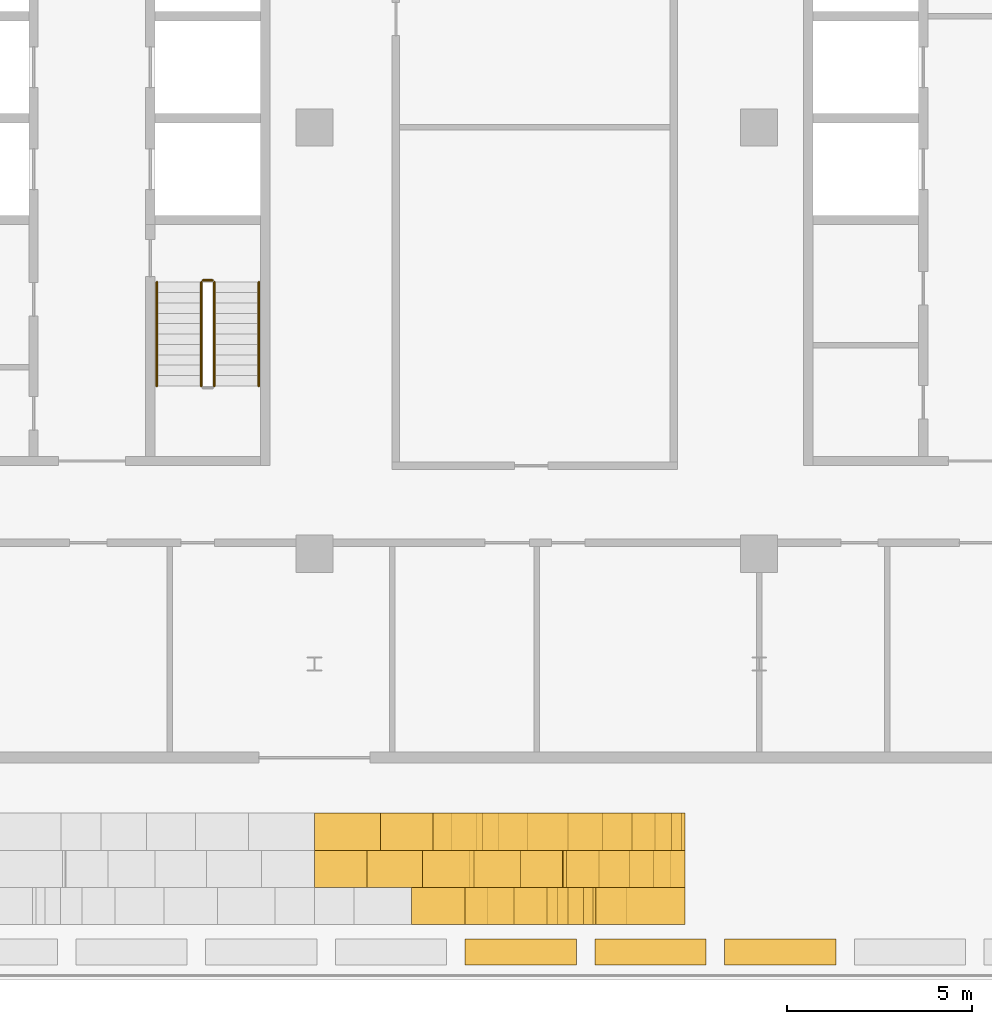
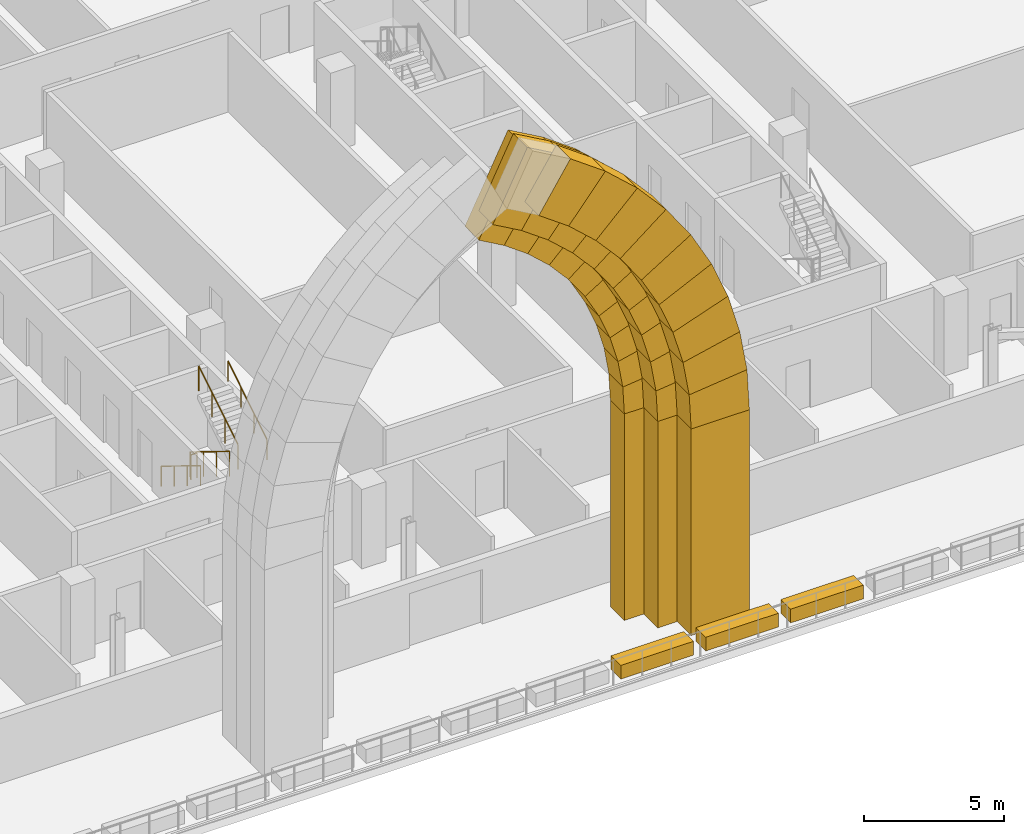
# One storey, part 25 of 30: 35 coverings, 5 railings.
"""IFC4 building model written with IfcOpenShell, lengths in metres."""

from ifc_helpers import new_model, si_unit, direction, frame, origin, origin_2d, place, context, subcontext, project, spatial, polyline, rectangle, circle, outline, extrude, material, layer, layer_set, type_object, element, save


model = new_model("IFC4")

# Units and contexts
model_context = context("Model", 3, precision=1e-05, world=origin(), true_north=direction((0.0, 1.0)))
body_context = subcontext(model_context, "Body", "Model", "MODEL_VIEW")
ifc_project = project(units=[si_unit("LENGTHUNIT", "METRE"), si_unit("AREAUNIT", "SQUARE_METRE"), si_unit("VOLUMEUNIT", "CUBIC_METRE"), si_unit("PLANEANGLEUNIT", "RADIAN"), si_unit("MASSUNIT", "GRAM", prefix="KILO")], contexts=[model_context])

# Site, building, storey
site_placement = place(None, origin())
site = spatial("IfcSite", under=ifc_project, at=site_placement, CompositionType="ELEMENT")
building_placement = place(site_placement, origin())
building = spatial("IfcBuilding", under=site, at=building_placement, Name="Mahtab Terrace Research Tower", CompositionType="ELEMENT")
storey_placement = place(building_placement, frame((0.0, 0.0, 228.60009765625)))
storey = spatial("IfcBuildingStorey", under=building, at=storey_placement, Name="L55", CompositionType="ELEMENT", Elevation=228.60009765625)

# Coverings
ifc_material_1 = material(Name="Glazed ceramic tile cladding", Category="masonry")
ifc_layer_1 = layer(ifc_material_1, 1.0)
ifc_layer_set_1 = layer_set([ifc_layer_1], Name="Iwan portal cladding arch course 800")
covering_type_1 = type_object("IfcCoveringType", Name="Iwan portal cladding arch course 800", PredefinedType="CLADDING", material=ifc_layer_set_1)
covering_1_placement = place(storey_placement, frame((12.0, -18.5, 9.02978515625), z_axis=(0.0, 1.0, 0.0), x_axis=(-0.054985017031, 0.0, 0.998487179638)))
element("IfcCovering", 1, at=covering_1_placement, inside=storey, type_object=covering_type_1, Name="Iwan portal arch course 6.1.1E1", PredefinedType="CLADDING", context=body_context, shape_type="SweptSolid", body=[
    extrude(outline(polyline([(0.0, 0.0), (1.1988351065344451, 0.0), (1.4227225989084686, 3.9932049750006704), (-0.21994006812347563, 3.993948718553337), (0.0, 0.0)])), origin(), (0.0, 0.0, -1.0), 1.0),
])
covering_2_placement = place(storey_placement, frame((11.93408203125, -18.5, 10.226806640625), z_axis=(0.0, 1.0, 0.0), x_axis=(-0.166117479357, 0.0, 0.986105969484)))
element("IfcCovering", 2, at=covering_2_placement, inside=storey, type_object=covering_type_1, Name="Iwan portal arch course 6.1.1E2", PredefinedType="CLADDING", context=body_context, shape_type="SweptSolid", body=[
    extrude(outline(polyline([(0.0, 0.0), (1.1977945376073695, 0.0), (1.4182488302865104, 3.9939691088413554), (-0.22333406904269565, 3.993235965381518), (0.0, 0.0)])), origin(), (0.0, 0.0, -1.0), 1.0),
])
covering_3_placement = place(storey_placement, frame((11.735107421875, -18.5, 11.407958984375), z_axis=(0.0, 1.0, 0.0), x_axis=(-0.274505954826, 0.0, 0.961585399621)))
element("IfcCovering", 3, at=covering_3_placement, inside=storey, type_object=covering_type_1, Name="Iwan portal arch course 6.1.1E3", PredefinedType="CLADDING", context=body_context, shape_type="SweptSolid", body=[
    extrude(outline(polyline([(0.0, 0.0), (1.1988867881146839, 0.0), (1.4188332843981208, 3.99484277097039), (-0.224061046923676, 3.9937683939847015), (0.0, 0.0)])), origin(), (0.0, 0.0, -1.0), 1.0),
])
covering_4_placement = place(storey_placement, frame((11.406005859375, -18.5, 12.560791015625), z_axis=(0.0, 1.0, 0.0), x_axis=(-0.378894584759, 0.0, 0.925439837937)))
element("IfcCovering", 4, at=covering_4_placement, inside=storey, type_object=covering_type_1, Name="Iwan portal arch course 6.1.1E4", PredefinedType="CLADDING", context=body_context, shape_type="SweptSolid", body=[
    extrude(outline(polyline([(0.0, 0.0), (1.198490505712443, 0.0), (1.4207259835922814, 3.994062298232907), (-0.22202973205685494, 3.994727528140624), (0.0, 0.0)])), origin(), (0.0, 0.0, -1.0), 1.0),
])
covering_5_placement = place(storey_placement, frame((10.951904296875, -18.5, 13.669921875), z_axis=(0.0, 1.0, 0.0), x_axis=(-0.478952042529, 0.0, 0.877841068165)))
element("IfcCovering", 5, at=covering_5_placement, inside=storey, type_object=covering_type_1, Name="Iwan portal arch course 6.1.1E5", PredefinedType="CLADDING", context=body_context, shape_type="SweptSolid", body=[
    extrude(outline(polyline([(0.0, 0.0), (1.1983968297629959, 0.0), (1.4202998293334266, 3.994376096565172), (-0.22100012408733938, 3.9941308434936618), (0.0, 0.0)])), origin(), (0.0, 0.0, -1.0), 1.0),
])
covering_6_placement = place(storey_placement, frame((10.3779296875, -18.5, 14.721923828125), z_axis=(0.0, 1.0, 0.0), x_axis=(-0.573270912999, 0.0, 0.819365889154)))
element("IfcCovering", 6, at=covering_6_placement, inside=storey, type_object=covering_type_1, Name="Iwan portal arch course 6.1.1E6", PredefinedType="CLADDING", context=body_context, shape_type="SweptSolid", body=[
    extrude(outline(polyline([(0.0, 0.0), (1.1984067273820767, 1.1102230246251565e-16), (1.420868574657454, 3.9940037544427716), (-0.22205539999335344, 3.9943676272175255), (0.0, 0.0)])), origin(), (0.0, 0.0, -1.0), 1.0),
])
covering_7_placement = place(storey_placement, frame((9.69091796875, -18.5, 15.703857421875), z_axis=(0.0, 1.0, 0.0), x_axis=(-0.660563628093, 0.0, 0.750770066825)))
element("IfcCovering", 7, at=covering_7_placement, inside=storey, type_object=covering_type_1, Name="Iwan portal arch course 6.1.1E7", PredefinedType="CLADDING", context=body_context, shape_type="SweptSolid", body=[
    extrude(outline(polyline([(0.0, 0.0), (1.1989642690229376, 0.0), (1.4208619727254268, 3.9940701767119156), (-0.22163909435929807, 3.9940494959186115), (0.0, 0.0)])), origin(), (0.0, 0.0, -1.0), 1.0),
])
covering_8_placement = place(storey_placement, frame((8.89892578125, -18.5, 16.60400390625), z_axis=(0.0, 1.0, 0.0), x_axis=(-0.739746345725, 0.0, 0.672885832802)))
element("IfcCovering", 8, at=covering_8_placement, inside=storey, type_object=covering_type_1, Name="Iwan portal arch course 6.1.1E8", PredefinedType="CLADDING", context=body_context, shape_type="SweptSolid", body=[
    extrude(outline(polyline([(0.0, 0.0), (1.197689361015028, 1.1102230246251565e-16), (1.4199871494725709, 3.9938323329420555), (-0.22239538029747208, 3.994042496297496), (0.0, 0.0)])), origin(), (0.0, 0.0, -1.0), 1.0),
])
covering_9_placement = place(storey_placement, frame((8.012939453125, -18.5, 17.409912109375), z_axis=(0.0, 1.0, 0.0), x_axis=(-0.810028858696, 0.0, 0.586390013625)))
element("IfcCovering", 9, at=covering_9_placement, inside=storey, type_object=covering_type_1, Name="Iwan portal arch course 6.1.1E9", PredefinedType="CLADDING", context=body_context, shape_type="SweptSolid", body=[
    extrude(outline(polyline([(0.0, 0.0), (1.1986576221341951, 0.0), (1.418901214494905, 3.9947238379354104), (-0.2235047833347794, 3.9937649683266248), (0.0, 0.0)])), origin(), (0.0, 0.0, -1.0), 1.0),
])
covering_10_placement = place(storey_placement, frame((7.0419921875, -18.5, 18.11279296875), z_axis=(0.0, 1.0, 0.0), x_axis=(-0.869456557393, 0.0, 0.49400940761)))
element("IfcCovering", 10, at=covering_10_placement, inside=storey, type_object=covering_type_1, Name="Iwan portal arch course 6.1.1E10", PredefinedType="CLADDING", context=body_context, shape_type="SweptSolid", body=[
    extrude(outline(polyline([(0.0, 0.0), (1.198440771583359, 0.0), (1.4225203513162432, 3.993655994120228), (-0.21922149893734888, 3.994780058494965), (0.0, 0.0)])), origin(), (0.0, 0.0, -1.0), 1.0),
])
covering_11_placement = place(storey_placement, frame((12.800048828125, -19.5, 9.02978515625), z_axis=(0.0, 1.0, 0.0), x_axis=(-0.055181321241, 0.0, 0.998476350139)))
element("IfcCovering", 11, at=covering_11_placement, inside=storey, type_object=covering_type_1, Name="Iwan portal arch course 6.1.2E1", PredefinedType="CLADDING", context=body_context, shape_type="SweptSolid", body=[
    extrude(outline(polyline([(0.0, 0.0), (1.358270700840064, 0.0), (1.5372374742629968, 3.194674829501832), (-0.17657753357005665, 3.19507556671552), (0.0, 0.0)])), origin(), (0.0, 0.0, -1.0), 1.0),
])
covering_12_placement = place(storey_placement, frame((12.72509765625, -19.5, 10.385986328125), z_axis=(0.0, 1.0, 0.0), x_axis=(-0.166379947434, 0.0, 0.986061718703)))
element("IfcCovering", 12, at=covering_12_placement, inside=storey, type_object=covering_type_1, Name="Iwan portal arch course 6.1.2E2", PredefinedType="CLADDING", context=body_context, shape_type="SweptSolid", body=[
    extrude(outline(polyline([(0.0, 0.0), (1.3587828475505148, 0.0), (1.5336205499310798, 3.195702399212898), (-0.17904420808999094, 3.194670490643973), (0.0, 0.0)])), origin(), (0.0, 0.0, -1.0), 1.0),
])
covering_13_placement = place(storey_placement, frame((12.4990234375, -19.5, 11.725830078125), z_axis=(0.0, 1.0, 0.0), x_axis=(-0.273961282228, 0.0, 0.961740721733)))
element("IfcCovering", 13, at=covering_13_placement, inside=storey, type_object=covering_type_1, Name="Iwan portal arch course 6.1.2E3", PredefinedType="CLADDING", context=body_context, shape_type="SweptSolid", body=[
    extrude(outline(polyline([(0.0, 0.0), (1.358112757663172, 0.0), (1.535557291409583, 3.1947682403449686), (-0.17816324112717452, 3.195518722526884), (0.0, 0.0)])), origin(), (0.0, 0.0, -1.0), 1.0),
])
covering_14_placement = place(storey_placement, frame((12.126953125, -19.5, 13.031982421875), z_axis=(0.0, 1.0, 0.0), x_axis=(-0.378478817189, 0.0, 0.925609952917)))
element("IfcCovering", 14, at=covering_14_placement, inside=storey, type_object=covering_type_1, Name="Iwan portal arch course 6.1.2E4", PredefinedType="CLADDING", context=body_context, shape_type="SweptSolid", body=[
    extrude(outline(polyline([(0.0, 0.0), (1.3578461786621412, -5.551115123125783e-17), (1.537166347370172, 3.1944177908390676), (-0.17639784946525616, 3.1948262035324237), (0.0, 0.0)])), origin(), (0.0, 0.0, -1.0), 1.0),
])
covering_15_placement = place(storey_placement, frame((11.613037109375, -19.5, 14.288818359375), z_axis=(0.0, 1.0, 0.0), x_axis=(-0.479343168453, 0.0, 0.87762755589)))
element("IfcCovering", 15, at=covering_15_placement, inside=storey, type_object=covering_type_1, Name="Iwan portal arch course 6.1.2E5", PredefinedType="CLADDING", context=body_context, shape_type="SweptSolid", body=[
    extrude(outline(polyline([(0.0, 0.0), (1.3583651332214297, 0.0), (1.5356018383319388, 3.194921724598974), (-0.17804426697706321, 3.1944891585872113), (0.0, 0.0)])), origin(), (0.0, 0.0, -1.0), 1.0),
])
covering_16_placement = place(storey_placement, frame((10.9619140625, -19.5, 15.48095703125), z_axis=(0.0, 1.0, 0.0), x_axis=(-0.573305531521, 0.0, 0.819341667149)))
element("IfcCovering", 16, at=covering_16_placement, inside=storey, type_object=covering_type_1, Name="Iwan portal arch course 6.1.2E6", PredefinedType="CLADDING", context=body_context, shape_type="SweptSolid", body=[
    extrude(outline(polyline([(0.0, 0.0), (1.3584529555876084, 0.0), (1.5357713092446799, 3.194670597827673), (-0.17657538685367147, 3.194958342249612), (0.0, 0.0)])), origin(), (0.0, 0.0, -1.0), 1.0),
])
covering_17_placement = place(storey_placement, frame((10.18310546875, -19.5, 16.593994140625), z_axis=(0.0, 1.0, 0.0), x_axis=(-0.660907580251, 0.0, 0.75046730133)))
element("IfcCovering", 17, at=covering_17_placement, inside=storey, type_object=covering_type_1, Name="Iwan portal arch course 6.1.2E7", PredefinedType="CLADDING", context=body_context, shape_type="SweptSolid", body=[
    extrude(outline(polyline([(0.0, 0.0), (1.357552589325183, 1.1102230246251565e-16), (1.534905563139945, 3.1956352793756135), (-0.1792282411178634, 3.1945640179458095), (0.0, 0.0)])), origin(), (0.0, 0.0, -1.0), 1.0),
])
covering_18_placement = place(storey_placement, frame((9.285888671875, -19.5, 17.61279296875), z_axis=(0.0, 1.0, 0.0), x_axis=(-0.739744866632, 0.0, 0.672887458861)))
element("IfcCovering", 18, at=covering_18_placement, inside=storey, type_object=covering_type_1, Name="Iwan portal arch course 6.1.2E8", PredefinedType="CLADDING", context=body_context, shape_type="SweptSolid", body=[
    extrude(outline(polyline([(0.0, 0.0), (1.3584180949781846, -1.1102230246251565e-16), (1.5357248081189012, 3.195489336740591), (-0.17665117608902614, 3.195674150800947), (0.0, 0.0)])), origin(), (0.0, 0.0, -1.0), 1.0),
])
covering_19_placement = place(storey_placement, frame((8.281005859375, -19.5, 18.52685546875), z_axis=(0.0, 1.0, 0.0), x_axis=(-0.809768404787, 0.0, 0.586749631964)))
element("IfcCovering", 19, at=covering_19_placement, inside=storey, type_object=covering_type_1, Name="Iwan portal arch course 6.1.2E9", PredefinedType="CLADDING", context=body_context, shape_type="SweptSolid", body=[
    extrude(outline(polyline([(0.0, 0.0), (1.3585336866038626, 1.1102230246251565e-16), (1.536129800785865, 3.1955927908765984), (-0.17796733419989197, 3.1954526126521383), (0.0, 0.0)])), origin(), (0.0, 0.0, -1.0), 1.0),
])
covering_20_placement = place(storey_placement, frame((7.180908203125, -19.5, 19.323974609375), z_axis=(0.0, 1.0, 0.0), x_axis=(-0.86947936813, 0.0, 0.493969258553)))
element("IfcCovering", 20, at=covering_20_placement, inside=storey, type_object=covering_type_1, Name="Iwan portal arch course 6.1.2E10", PredefinedType="CLADDING", context=body_context, shape_type="SweptSolid", body=[
    extrude(outline(polyline([(0.0, 0.0), (1.3581785220094809, 0.0), (1.5373747639034314, 3.19438213709835), (-0.17553055532321005, 3.19570691538241), (0.0, 0.0)])), origin(), (0.0, 0.0, -1.0), 1.0),
])
covering_21_placement = place(storey_placement, frame((13.60009765625, -20.5, 9.02978515625), z_axis=(0.0, 1.0, 0.0), x_axis=(-0.055309729531, 0.0, 0.998469245305)))
element("IfcCovering", 21, at=covering_21_placement, inside=storey, type_object=covering_type_1, Name="Iwan portal arch course 6.1.3E1", PredefinedType="CLADDING", context=body_context, shape_type="SweptSolid", body=[
    extrude(outline(polyline([(0.0, 0.0), (1.5184376367921015, 0.0), (1.6522428221747991, 2.3958337874326725), (-0.13273794953257928, 2.3962286819689456), (0.0, 0.0)])), origin(), (0.0, 0.0, -1.0), 1.0),
])
covering_22_placement = place(storey_placement, frame((13.51611328125, -20.5, 10.5458984375), z_axis=(0.0, 1.0, 0.0), x_axis=(-0.166119871209, 0.0, 0.986105566554)))
element("IfcCovering", 22, at=covering_22_placement, inside=storey, type_object=covering_type_1, Name="Iwan portal arch course 6.1.3E2", PredefinedType="CLADDING", context=body_context, shape_type="SweptSolid", body=[
    extrude(outline(polyline([(0.0, 0.0), (1.5181643459644198, 0.0), (1.6497651247417782, 2.3962200779402862), (-0.13374117051284962, 2.3958373617483173), (0.0, 0.0)])), origin(), (0.0, 0.0, -1.0), 1.0),
])
covering_23_placement = place(storey_placement, frame((13.263916015625, -20.5, 12.04296875), z_axis=(0.0, 1.0, 0.0), x_axis=(-0.274041357069, 0.0, 0.961717908025)))
element("IfcCovering", 23, at=covering_23_placement, inside=storey, type_object=covering_type_1, Name="Iwan portal arch course 6.1.3E3", PredefinedType="CLADDING", context=body_context, shape_type="SweptSolid", body=[
    extrude(outline(polyline([(0.0, 0.0), (1.5180760650474732, -5.551115123125783e-17), (1.6504569233223965, 2.3960708406005846), (-0.13392296283878435, 2.396091414559019), (0.0, 0.0)])), origin(), (0.0, 0.0, -1.0), 1.0),
])
covering_24_placement = place(storey_placement, frame((12.847900390625, -20.5, 13.5029296875), z_axis=(0.0, 1.0, 0.0), x_axis=(-0.378726772963, 0.0, 0.925508525861)))
element("IfcCovering", 24, at=covering_24_placement, inside=storey, type_object=covering_type_1, Name="Iwan portal arch course 6.1.3E4", PredefinedType="CLADDING", context=body_context, shape_type="SweptSolid", body=[
    extrude(outline(polyline([(0.0, 0.0), (1.5181159952775325, 0.0), (1.651622750133583, 2.3960392670320374), (-0.13343843854673565, 2.396012176081792), (0.0, 0.0)])), origin(), (0.0, 0.0, -1.0), 1.0),
])
covering_25_placement = place(storey_placement, frame((12.27294921875, -20.5, 14.907958984375), z_axis=(0.0, 1.0, 0.0), x_axis=(-0.47910009193, 0.0, 0.87776027588)))
element("IfcCovering", 25, at=covering_25_placement, inside=storey, type_object=covering_type_1, Name="Iwan portal arch course 6.1.3E5", PredefinedType="CLADDING", context=body_context, shape_type="SweptSolid", body=[
    extrude(outline(polyline([(0.0, 0.0), (1.517534213615231, 0.0), (1.6508916407475462, 2.395818212997516), (-0.13323016868414328, 2.3960546623364025), (0.0, 0.0)])), origin(), (0.0, 0.0, -1.0), 1.0),
])
covering_26_placement = place(storey_placement, frame((11.5458984375, -20.5, 16.239990234375), z_axis=(0.0, 1.0, 0.0), x_axis=(-0.57351629746, 0.0, 0.819194150704)))
element("IfcCovering", 26, at=covering_26_placement, inside=storey, type_object=covering_type_1, Name="Iwan portal arch course 6.1.3E6", PredefinedType="CLADDING", context=body_context, shape_type="SweptSolid", body=[
    extrude(outline(polyline([(0.0, 0.0), (1.5184391676946016, 0.0), (1.6510265232375452, 2.3962621048740442), (-0.1332429740215879, 2.3958245810108556), (0.0, 0.0)])), origin(), (0.0, 0.0, -1.0), 1.0),
])
covering_27_placement = place(storey_placement, frame((10.675048828125, -20.5, 17.48388671875), z_axis=(0.0, 1.0, 0.0), x_axis=(-0.660881720353, 0.0, 0.750490074354)))
element("IfcCovering", 27, at=covering_27_placement, inside=storey, type_object=covering_type_1, Name="Iwan portal arch course 6.1.3E7", PredefinedType="CLADDING", context=body_context, shape_type="SweptSolid", body=[
    extrude(outline(polyline([(0.0, 0.0), (1.5175630625169991, 0.0), (1.6499896924885067, 2.3963752493123436), (-0.13414992797391667, 2.3961751352791074), (0.0, 0.0)])), origin(), (0.0, 0.0, -1.0), 1.0),
])
covering_28_placement = place(storey_placement, frame((9.672119140625, -20.5, 18.622802734375), z_axis=(0.0, 1.0, 0.0), x_axis=(-0.739233704104, 0.0, 0.673448981524)))
element("IfcCovering", 28, at=covering_28_placement, inside=storey, type_object=covering_type_1, Name="Iwan portal arch course 6.1.3E8", PredefinedType="CLADDING", context=body_context, shape_type="SweptSolid", body=[
    extrude(outline(polyline([(0.0, 0.0), (1.5178830541274362, -1.1102230246251565e-16), (1.6533055806822343, 2.395204972169471), (-0.13129700188866877, 2.396437406889121), (0.0, 0.0)])), origin(), (0.0, 0.0, -1.0), 1.0),
])
covering_29_placement = place(storey_placement, frame((8.550048828125, -20.5, 19.64501953125), z_axis=(0.0, 1.0, 0.0), x_axis=(-0.809881552123, 0.0, 0.586593446546)))
element("IfcCovering", 29, at=covering_29_placement, inside=storey, type_object=covering_type_1, Name="Iwan portal arch course 6.1.3E9", PredefinedType="CLADDING", context=body_context, shape_type="SweptSolid", body=[
    extrude(outline(polyline([(0.0, 0.0), (1.5187164907330124, 0.0), (1.6506040815171623, 2.3962788196958544), (-0.13317244998767053, 2.3953311290859394), (0.0, 0.0)])), origin(), (0.0, 0.0, -1.0), 1.0),
])
ifc_layer_2 = layer(ifc_material_1, 1.0)
ifc_layer_set_2 = layer_set([ifc_layer_2], Name="Iwan portal cladding pilaster 900")
covering_type_2 = type_object("IfcCoveringType", Name="Iwan portal cladding pilaster 900", PredefinedType="CLADDING", material=ifc_layer_set_2)
covering_30_placement = place(storey_placement, frame((14.0, -19.0, 0.02978515625), z_axis=(0.0, 0.0, 1.0), x_axis=(1.0, 0.0, 0.0)))
element("IfcCovering", 30, at=covering_30_placement, inside=storey, type_object=covering_type_2, Name="Iwan portal pilaster 6.1.1E", PredefinedType="CLADDING", context=body_context, shape_type="SweptSolid", body=[
    extrude(rectangle(XDim=4.0, YDim=1.0, at=origin_2d()), origin(), (0.0, 0.0, 1.0), 9.0),
])
covering_31_placement = place(storey_placement, frame((14.39990234375, -20.0, 0.02978515625), z_axis=(0.0, 0.0, 1.0), x_axis=(1.0, 0.0, 0.0)))
element("IfcCovering", 31, at=covering_31_placement, inside=storey, type_object=covering_type_2, Name="Iwan portal pilaster 6.1.2E", PredefinedType="CLADDING", context=body_context, shape_type="SweptSolid", body=[
    extrude(rectangle(XDim=3.199951171875, YDim=1.0, at=origin_2d()), origin(), (0.0, 0.0, 1.0), 9.0),
])
covering_32_placement = place(storey_placement, frame((14.800048828125, -21.0, 0.02978515625), z_axis=(0.0, 0.0, 1.0), x_axis=(1.0, 0.0, 0.0)))
element("IfcCovering", 32, at=covering_32_placement, inside=storey, type_object=covering_type_2, Name="Iwan portal pilaster 6.1.3E", PredefinedType="CLADDING", context=body_context, shape_type="SweptSolid", body=[
    extrude(rectangle(XDim=2.39990234375, YDim=1.0, at=origin_2d()), origin(), (0.0, 0.0, 1.0), 9.0),
])
ifc_material_2 = material(Name="Planting soil and shrubs")
ifc_layer_3 = layer(ifc_material_2, 0.1201171875)
ifc_layer_set_3 = layer_set([ifc_layer_3], Name="Planter")
covering_type_3 = type_object("IfcCoveringType", Name="Planter", PredefinedType="USERDEFINED", material=ifc_layer_set_3)
for number, where, z_axis, x_axis, name in (
    (33, (11.56591796875, -22.25, 0.02978515625), (0.0, 0.0, 1.0), (1.0, 0.0, 0.0), "PLANTER terrace 6"),
    (34, (15.06591796875, -22.25, 0.02978515625), (0.0, 0.0, 1.0), (1.0, 0.0, 0.0), "PLANTER terrace 6"),
    (35, (18.56591796875, -22.25, 0.02978515625), (0.0, 0.0, 1.0), (1.0, 0.0, 0.0), "PLANTER terrace 6"),
):
    element("IfcCovering", number, at=place(storey_placement, frame(where, z_axis=z_axis, x_axis=x_axis)), inside=storey, type_object=covering_type_3, Name=name, ObjectType="PLANTER", PredefinedType="USERDEFINED", context=body_context, shape_type="SweptSolid", body=[
        extrude(rectangle(XDim=3.0, YDim=0.699951171875, at=origin_2d()), origin(), (0.0, 0.0, 1.0), 0.60009765625),
    ])

# Railings
ifc_material_3 = material(Name="Stainless steel AISI 304", Category="steel")
railing_type_1 = type_object("IfcRailingType", Name="Stair guard 1100", PredefinedType="GUARDRAIL", material=ifc_material_3)
railing_1_placement = place(storey_placement, frame((2.949951171875, -4.175048828125, 0.172607421875)))
element("IfcRailing", 36, at=railing_1_placement, inside=storey, type_object=railing_type_1, Name="L55 ST2 stair guard 1", PredefinedType="GUARDRAIL", context=body_context, shape_type="SweptSolid", body=[
    extrude(circle(Radius=0.02392578125, at=origin_2d()), frame((0.0, 0.0, 1.076171875), z_axis=(0.0, -0.851089632645, 0.525020415988), x_axis=(1.0, 0.0, 0.0)), (0.0, 0.0, 1.0), 3.2900390625),
    extrude(circle(Radius=0.02099609375, at=origin_2d()), origin(), (0.0, 0.0, 1.0), 1.052001953125),
    extrude(circle(Radius=0.02099609375, at=origin_2d()), frame((0.0, -0.933349609375, 0.57568359375)), (0.0, 0.0, 1.0), 1.052001953125),
    extrude(circle(Radius=0.02099609375, at=origin_2d()), frame((0.0, -1.86669921875, 1.151611328125)), (0.0, 0.0, 1.0), 1.052001953125),
    extrude(circle(Radius=0.02099609375, at=origin_2d()), frame((0.0, -2.800048828125, 1.727294921875)), (0.0, 0.0, 1.0), 1.052001953125),
])
railing_2_placement = place(storey_placement, frame((3.300048828125, -6.97509765625, 2.072509765625)))
element("IfcRailing", 37, at=railing_2_placement, inside=storey, type_object=railing_type_1, Name="L55 ST2 stair guard 3", PredefinedType="GUARDRAIL", context=body_context, shape_type="SweptSolid", body=[
    extrude(circle(Radius=0.02392578125, at=origin_2d()), frame((0.0, 0.0, 1.076171875), z_axis=(0.0, 0.851089632645, 0.525020415988), x_axis=(-1.0, 0.0, 0.0)), (0.0, 0.0, 1.0), 3.2900390625),
    extrude(circle(Radius=0.02099609375, at=origin_2d()), origin(), (0.0, 0.0, 1.0), 1.052001953125),
    extrude(circle(Radius=0.02099609375, at=origin_2d()), frame((0.0, 0.933349609375, 0.57568359375)), (0.0, 0.0, 1.0), 1.052001953125),
    extrude(circle(Radius=0.02099609375, at=origin_2d()), frame((0.0, 1.86669921875, 1.151611328125)), (0.0, 0.0, 1.0), 1.052001953125),
    extrude(circle(Radius=0.02099609375, at=origin_2d()), frame((0.0, 2.800048828125, 1.727294921875)), (0.0, 0.0, 1.0), 1.052001953125),
])
railing_3_placement = place(storey_placement, frame((3.0, -4.125, 0.0)))
element("IfcRailing", 38, at=railing_3_placement, inside=storey, type_object=railing_type_1, Name="L55 ST2 stair guard 4", PredefinedType="GUARDRAIL", context=body_context, shape_type="SweptSolid", body=[
    extrude(circle(Radius=0.02392578125, at=origin_2d()), frame((0.0, 0.0, 1.076171875), z_axis=(1.0, 0.0, 0.0), x_axis=(0.0, 1.0, 0.0)), (0.0, 0.0, 1.0), 0.25),
    extrude(circle(Radius=0.02099609375, at=origin_2d()), origin(), (0.0, 0.0, 1.0), 1.052001953125),
    extrude(circle(Radius=0.02099609375, at=origin_2d()), frame((0.25, 0.0, 0.0)), (0.0, 0.0, 1.0), 1.052001953125),
])
railing_type_2 = type_object("IfcRailingType", Name="Stair handrail 900", PredefinedType="HANDRAIL", material=ifc_material_3)
railing_4_placement = place(storey_placement, frame((1.75, -4.175048828125, 0.172607421875)))
element("IfcRailing", 39, at=railing_4_placement, inside=storey, type_object=railing_type_2, Name="L55 ST2 stair handrail 1", PredefinedType="HANDRAIL", context=body_context, shape_type="SweptSolid", body=[
    extrude(circle(Radius=0.02392578125, at=origin_2d()), frame((0.0, 0.0, 0.8759765625), z_axis=(0.0, -0.851089632645, 0.525020415988), x_axis=(1.0, 0.0, 0.0)), (0.0, 0.0, 1.0), 3.2900390625),
    extrude(circle(Radius=0.02099609375, at=origin_2d()), origin(), (0.0, 0.0, 1.0), 0.851806640625),
    extrude(circle(Radius=0.02099609375, at=origin_2d()), frame((0.0, -0.933349609375, 0.57568359375)), (0.0, 0.0, 1.0), 0.851806640625),
    extrude(circle(Radius=0.02099609375, at=origin_2d()), frame((0.0, -1.86669921875, 1.151611328125)), (0.0, 0.0, 1.0), 0.851806640625),
    extrude(circle(Radius=0.02099609375, at=origin_2d()), frame((0.0, -2.800048828125, 1.727294921875)), (0.0, 0.0, 1.0), 0.851806640625),
])
railing_5_placement = place(storey_placement, frame((4.5, -6.97509765625, 2.072509765625)))
element("IfcRailing", 40, at=railing_5_placement, inside=storey, type_object=railing_type_2, Name="L55 ST2 stair handrail 2", PredefinedType="HANDRAIL", context=body_context, shape_type="SweptSolid", body=[
    extrude(circle(Radius=0.02392578125, at=origin_2d()), frame((0.0, 0.0, 0.8759765625), z_axis=(0.0, 0.851089632645, 0.525020415988), x_axis=(-1.0, 0.0, 0.0)), (0.0, 0.0, 1.0), 3.2900390625),
    extrude(circle(Radius=0.02099609375, at=origin_2d()), origin(), (0.0, 0.0, 1.0), 0.851806640625),
    extrude(circle(Radius=0.02099609375, at=origin_2d()), frame((0.0, 0.933349609375, 0.57568359375)), (0.0, 0.0, 1.0), 0.851806640625),
    extrude(circle(Radius=0.02099609375, at=origin_2d()), frame((0.0, 1.86669921875, 1.151611328125)), (0.0, 0.0, 1.0), 0.851806640625),
    extrude(circle(Radius=0.02099609375, at=origin_2d()), frame((0.0, 2.800048828125, 1.727294921875)), (0.0, 0.0, 1.0), 0.851806640625),
])

save(model, "model.ifc")
